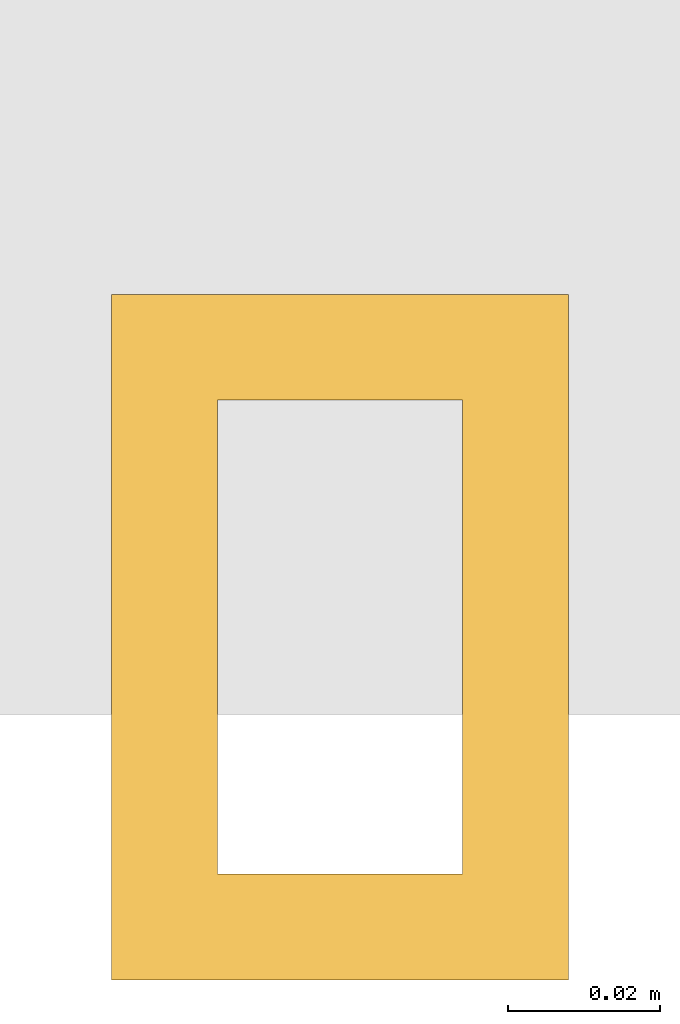
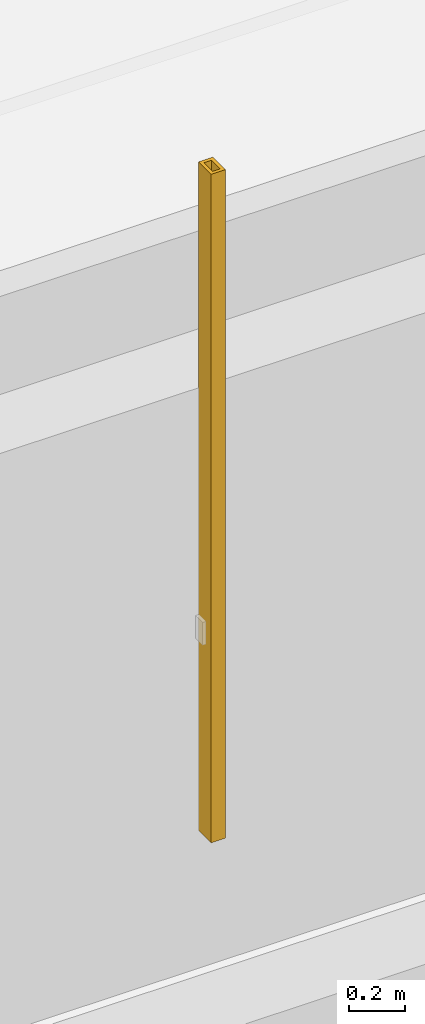
# One storey, part 23 of 29: 1 shading device.
"""IFC4 building model written with IfcOpenShell, lengths in metres."""

from ifc_helpers import new_model, si_unit, direction, frame, origin, origin_2d, place, context, subcontext, project, spatial, hollow_rectangle, extrude, material, material_profile, profile_set, type_object, element, save


model = new_model("IFC4")

# Units and contexts
model_context = context("Model", 3, precision=1e-05, world=origin(), true_north=direction((0.0, 1.0)))
body_context = subcontext(model_context, "Body", "Model", "MODEL_VIEW")
ifc_project = project(units=[si_unit("LENGTHUNIT", "METRE"), si_unit("AREAUNIT", "SQUARE_METRE"), si_unit("VOLUMEUNIT", "CUBIC_METRE"), si_unit("PLANEANGLEUNIT", "RADIAN"), si_unit("MASSUNIT", "GRAM", prefix="KILO")], contexts=[model_context])

# Site, building, storey
site_placement = place(None, origin())
site = spatial("IfcSite", under=ifc_project, at=site_placement, CompositionType="ELEMENT")
building_placement = place(site_placement, origin())
building = spatial("IfcBuilding", under=site, at=building_placement, Name="Punatoya Terracotta Tower", CompositionType="ELEMENT")
storey_placement = place(building_placement, frame((0.0, 0.0, 172.199951171875)))
storey = spatial("IfcBuildingStorey", under=building, at=storey_placement, Name="L40", CompositionType="ELEMENT", Elevation=172.199951171875)

# Shading device
ifc_material = material(Name="Architectural Fired Terracotta", Category="masonry")
ifc_material_profile = material_profile(ifc_material, hollow_rectangle(XDim=0.06005859375, YDim=0.090087890625, WallThickness=0.013916015625, at=origin_2d()))
ifc_profile_set = profile_set([ifc_material_profile], Name="Architectural Fired Terracotta")
shading_device_type = type_object("IfcShadingDeviceType", Name="SHD-JALI-90", PredefinedType="JALOUSIE", material=ifc_profile_set)
shading_device_placement = place(storey_placement, frame((10.093505859375, -23.449951171875, 0.60009765625), z_axis=(0.0, 0.0, 1.0), x_axis=(1.0, 0.0, 0.0)))
element("IfcShadingDevice", 1, at=shading_device_placement, inside=storey, type_object=shading_device_type, Name="L40 Braced Bay Terracotta Jali Fin S2", PredefinedType="JALOUSIE", context=body_context, shape_type="SweptSolid", body=[
    extrude(hollow_rectangle(XDim=0.06005859375, YDim=0.090087890625, WallThickness=0.013916015625, at=origin_2d()), origin(), (0.0, 0.0, 1.0), 2.929931640625),
])

save(model, "model.ifc")
